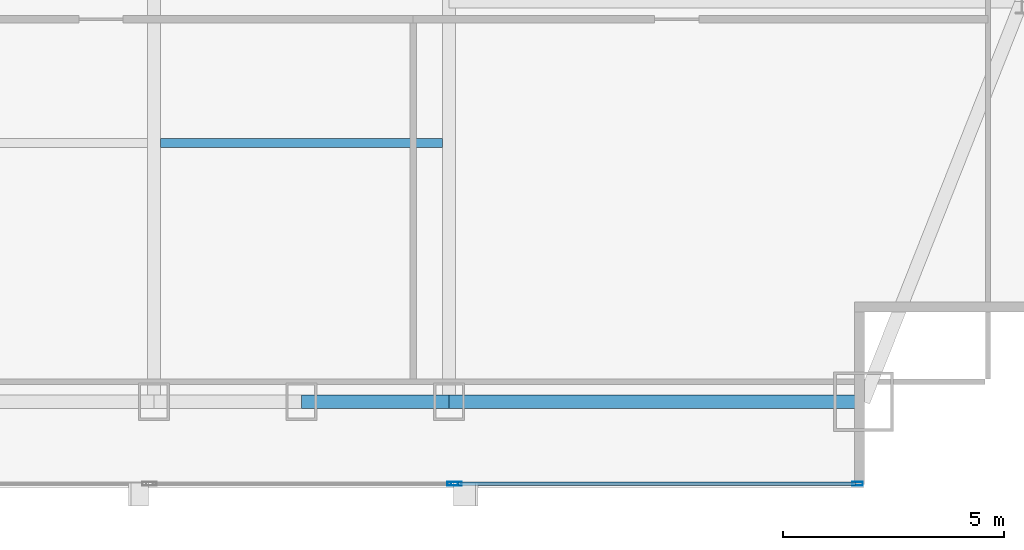
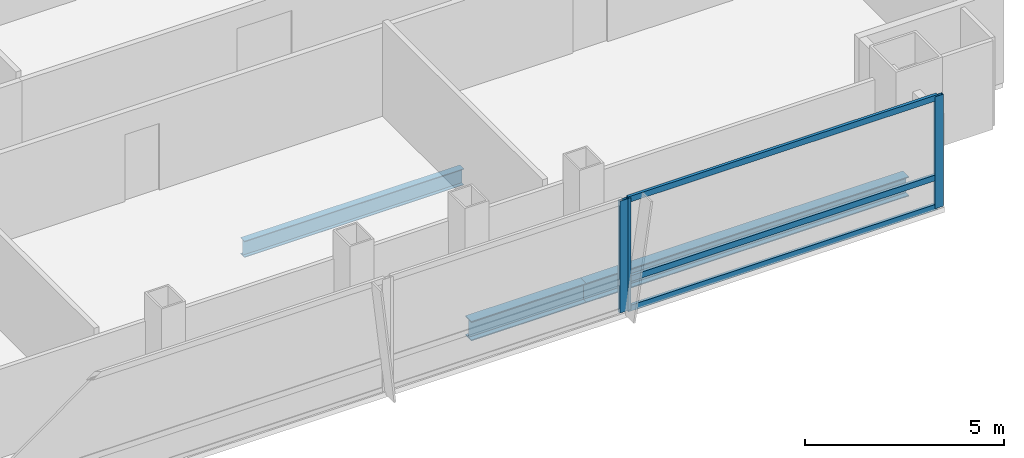
# One storey, part 15 of 29: 6 members, 3 beams, 2 elements without a shape of their own.
"""IFC4 building model written with IfcOpenShell, lengths in metres."""

from ifc_helpers import new_model, si_unit, direction, frame, origin, origin_2d, place, context, subcontext, project, spatial, hollow_rectangle, i_section, extrude, material, material_profile, profile_set, type_object, element, aggregate, save


model = new_model("IFC4")

# Units and contexts
model_context = context("Model", 3, precision=1e-05, world=origin(), true_north=direction((0.0, 1.0)))
body_context = subcontext(model_context, "Body", "Model", "MODEL_VIEW")
ifc_project = project(units=[si_unit("LENGTHUNIT", "METRE"), si_unit("AREAUNIT", "SQUARE_METRE"), si_unit("VOLUMEUNIT", "CUBIC_METRE"), si_unit("PLANEANGLEUNIT", "RADIAN"), si_unit("MASSUNIT", "GRAM", prefix="KILO")], contexts=[model_context])

# Site, building, storey
site_placement = place(None, origin())
site = spatial("IfcSite", under=ifc_project, at=site_placement, CompositionType="ELEMENT")
building_placement = place(site_placement, origin())
building = spatial("IfcBuilding", under=site, at=building_placement, Name="Khoronbel Lancet Exchange", CompositionType="ELEMENT")
storey_placement = place(building_placement, frame((0.0, 0.0, 150.60009765625)))
storey = spatial("IfcBuildingStorey", under=building, at=storey_placement, Name="L37", CompositionType="ELEMENT", Elevation=150.60009765625)

# Beams
ifc_material_1 = material(Name="Steel S355", Category="steel")
ifc_material_profile_1 = material_profile(ifc_material_1, i_section(OverallWidth=0.199951171875, OverallDepth=0.5, WebThickness=0.01025390625, FlangeThickness=0.01611328125, at=origin_2d()), Name="IPE 500")
ifc_profile_set_1 = profile_set([ifc_material_profile_1], Name="Steel S355")
beam_type_1 = type_object("IfcBeamType", Name="BM-BJ3", PredefinedType="JOIST", material=ifc_profile_set_1)
beam_1_placement = place(storey_placement, frame((48.14990234375, 16.0, -0.41015625), z_axis=(1.0, 0.0, 0.0), x_axis=(0.0, 1.0, 0.0)))
element("IfcBeam", 1, at=beam_1_placement, inside=storey, type_object=beam_type_1, Name="Level L37 secondary composite joist J05", PredefinedType="JOIST", context=body_context, shape_type="SweptSolid", body=[
    extrude(i_section(OverallWidth=0.199951171875, OverallDepth=0.5, WebThickness=0.01025390625, FlangeThickness=0.01611328125, at=origin_2d()), origin(), (0.0, 0.0, 1.0), 6.375),
])
ifc_material_profile_2 = material_profile(ifc_material_1, i_section(OverallWidth=0.300048828125, OverallDepth=0.60009765625, WebThickness=0.015380859375, FlangeThickness=0.030029296875, at=origin_2d()), Name="HEB 600")
ifc_profile_set_2 = profile_set([ifc_material_profile_2], Name="Steel S355")
beam_type_2 = type_object("IfcBeamType", Name="BM-BSP2", PredefinedType="SPANDREL", material=ifc_profile_set_2)
beam_2_placement = place(storey_placement, frame((51.33740234375, 10.14990234375, -0.460205078125), z_axis=(1.0, 0.0, 0.0), x_axis=(0.0, 1.0, 0.0)))
element("IfcBeam", 2, at=beam_2_placement, inside=storey, type_object=beam_type_2, Name="Level L37 perimeter spandrel beam SP08", PredefinedType="SPANDREL", context=body_context, shape_type="SweptSolid", body=[
    extrude(i_section(OverallWidth=0.300048828125, OverallDepth=0.60009765625, WebThickness=0.015380859375, FlangeThickness=0.030029296875, at=origin_2d()), origin(), (0.0, 0.0, 1.0), 3.337646484375),
])
beam_3_placement = place(storey_placement, frame((54.675048828125, 10.14990234375, -0.460205078125), z_axis=(1.0, 0.0, 0.0), x_axis=(0.0, 1.0, 0.0)))
element("IfcBeam", 3, at=beam_3_placement, inside=storey, type_object=beam_type_2, Name="Level L37 perimeter spandrel beam SP09", PredefinedType="SPANDREL", context=body_context, shape_type="SweptSolid", body=[
    extrude(i_section(OverallWidth=0.300048828125, OverallDepth=0.60009765625, WebThickness=0.015380859375, FlangeThickness=0.030029296875, at=origin_2d()), origin(), (0.0, 0.0, 1.0), 9.375),
])

# Curtain wall, member
ifc_material_2 = material(Name="Low-E Solar Control Insulating Glass", Category="glass")
curtain_wall_type = type_object("IfcCurtainWallType", Name="CW-3", PredefinedType="NOTDEFINED", material=ifc_material_2)
curtain_wall_1_placement = place(storey_placement, origin())
curtain_wall_1 = element("IfcCurtainWall", 4, at=curtain_wall_1_placement, inside=storey, type_object=curtain_wall_type, Name="Unitised curtain wall CW-L37-SEB", PredefinedType="NOTDEFINED")
ifc_material_3 = material(Name="Bronze-Anodised Aluminium 6063-T6", Category="aluminium")
ifc_material_profile_3 = material_profile(ifc_material_3, hollow_rectangle(XDim=0.0849609375, YDim=0.239990234375, WallThickness=0.006103515625, at=origin_2d()), Name="ALU MULLION 85x240")
ifc_profile_set_3 = profile_set([ifc_material_profile_3], Name="Bronze-Anodised Aluminium 6063-T6")
member_type_1 = type_object("IfcMemberType", Name="MEM-CWM1", PredefinedType="MULLION", material=ifc_profile_set_3)
member_1_placement = place(storey_placement, frame((54.757568359375, 8.2900390625, 0.0), z_axis=(0.0, 0.0, 1.0), x_axis=(0.0, 1.0, 0.0)))
member_1 = element("IfcMember", 5, at=member_1_placement, type_object=member_type_1, Name="CW3 mullion 2", PredefinedType="MULLION", context=body_context, shape_type="SweptSolid", body=[
    extrude(hollow_rectangle(XDim=0.0849609375, YDim=0.239990234375, WallThickness=0.006103515625, at=origin_2d()), origin(), (0.0, 0.0, 1.0), 3.43994140625),
])
aggregate(curtain_wall_1, [member_1])

# Curtain wall, members
curtain_wall_2_placement = place(storey_placement, origin())
curtain_wall_2 = element("IfcCurtainWall", 6, at=curtain_wall_2_placement, inside=storey, type_object=curtain_wall_type, Name="Unitised curtain wall CW-L37-SEV", PredefinedType="NOTDEFINED")
member_2_placement = place(storey_placement, frame((54.842529296875, 8.2900390625, 0.0), z_axis=(0.0, 0.0, 1.0), x_axis=(0.0, 1.0, 0.0)))
member_2 = element("IfcMember", 7, at=member_2_placement, type_object=member_type_1, Name="CW3 mullion 1", PredefinedType="MULLION", context=body_context, shape_type="SweptSolid", body=[
    extrude(hollow_rectangle(XDim=0.0849609375, YDim=0.239990234375, WallThickness=0.006103515625, at=origin_2d()), origin(), (0.0, 0.0, 1.0), 3.43994140625),
])
member_3_placement = place(storey_placement, frame((63.91748046875, 8.2900390625, 0.0), z_axis=(0.0, 0.0, 1.0), x_axis=(0.0, 1.0, 0.0)))
member_3 = element("IfcMember", 8, at=member_3_placement, type_object=member_type_1, Name="CW3 mullion 2", PredefinedType="MULLION", context=body_context, shape_type="SweptSolid", body=[
    extrude(hollow_rectangle(XDim=0.0849609375, YDim=0.239990234375, WallThickness=0.006103515625, at=origin_2d()), origin(), (0.0, 0.0, 1.0), 3.43994140625),
])
ifc_material_profile_4 = material_profile(ifc_material_3, hollow_rectangle(XDim=0.0849609375, YDim=0.179931640625, WallThickness=0.0048828125, at=origin_2d()), Name="ALU TRANSOM 85x180")
ifc_profile_set_4 = profile_set([ifc_material_profile_4], Name="Bronze-Anodised Aluminium 6063-T6")
member_type_2 = type_object("IfcMemberType", Name="MEM-CWT1", PredefinedType="USERDEFINED", material=ifc_profile_set_4)
member_4_placement = place(storey_placement, frame((54.885009765625, 8.2900390625, 0.04248046875), z_axis=(1.0, 0.0, 0.0), x_axis=(0.0, 1.0, 0.0)))
member_4 = element("IfcMember", 9, at=member_4_placement, type_object=member_type_2, Name="CW3 transom 1.1", ObjectType="TRANSOM", PredefinedType="USERDEFINED", context=body_context, shape_type="SweptSolid", body=[
    extrude(hollow_rectangle(XDim=0.0849609375, YDim=0.179931640625, WallThickness=0.0048828125, at=origin_2d()), origin(), (0.0, 0.0, 1.0), 8.989990234375),
])
member_5_placement = place(storey_placement, frame((54.885009765625, 8.2900390625, 0.949951171875), z_axis=(1.0, 0.0, 0.0), x_axis=(0.0, 1.0, 0.0)))
member_5 = element("IfcMember", 10, at=member_5_placement, type_object=member_type_2, Name="CW3 transom 1.2", ObjectType="TRANSOM", PredefinedType="USERDEFINED", context=body_context, shape_type="SweptSolid", body=[
    extrude(hollow_rectangle(XDim=0.0849609375, YDim=0.179931640625, WallThickness=0.0048828125, at=origin_2d()), origin(), (0.0, 0.0, 1.0), 8.989990234375),
])
member_6_placement = place(storey_placement, frame((54.885009765625, 8.2900390625, 3.3974609375), z_axis=(1.0, 0.0, 0.0), x_axis=(0.0, 1.0, 0.0)))
member_6 = element("IfcMember", 11, at=member_6_placement, type_object=member_type_2, Name="CW3 transom 1.3", ObjectType="TRANSOM", PredefinedType="USERDEFINED", context=body_context, shape_type="SweptSolid", body=[
    extrude(hollow_rectangle(XDim=0.0849609375, YDim=0.179931640625, WallThickness=0.0048828125, at=origin_2d()), origin(), (0.0, 0.0, 1.0), 8.989990234375),
])
aggregate(curtain_wall_2, [member_2, member_3, member_4, member_5, member_6])

save(model, "model.ifc")
